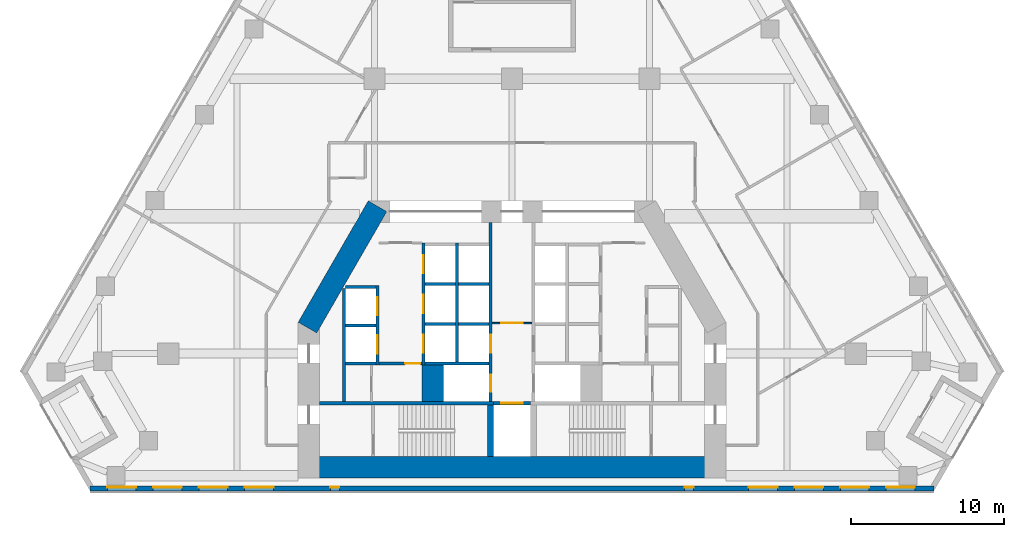
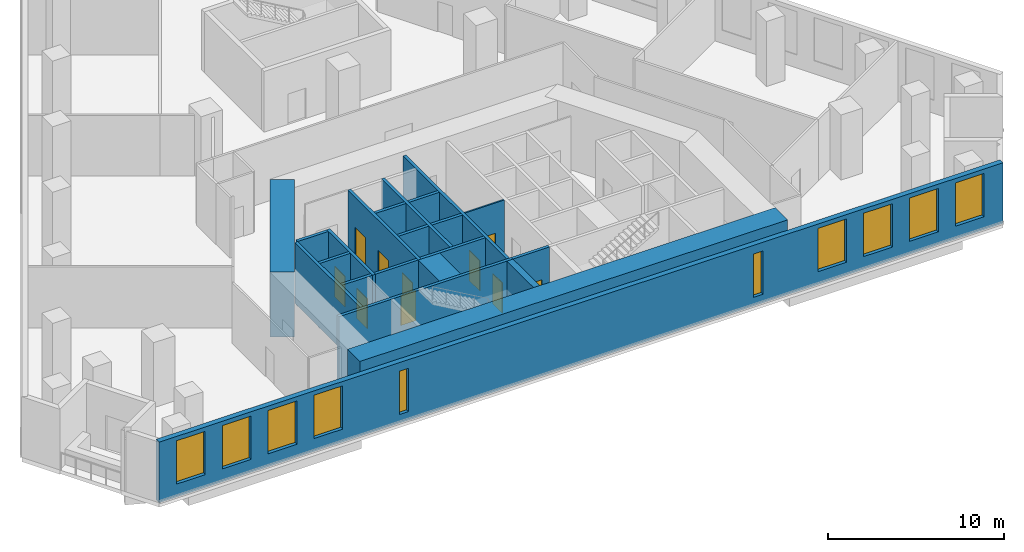
# One storey, part 4 of 10: 22 walls, 10 doors, 10 windows, 20 openings.
"""IFC4 building model written with IfcOpenShell, lengths in metres."""

from ifc_helpers import new_model, si_unit, direction, frame, frame_2d, origin, place, context, subcontext, project, spatial, rectangle, extrude, material, layer, layer_set, type_object, element, fill, save


model = new_model("IFC4")

# Units and contexts
model_context = context("Model", 3, precision=1e-05, world=origin(), true_north=direction((0.0, 1.0)))
body_context = subcontext(model_context, "Body", "Model", "MODEL_VIEW")
ifc_project = project(units=[si_unit("LENGTHUNIT", "METRE"), si_unit("AREAUNIT", "SQUARE_METRE"), si_unit("VOLUMEUNIT", "CUBIC_METRE"), si_unit("PLANEANGLEUNIT", "RADIAN"), si_unit("MASSUNIT", "GRAM", prefix="KILO")], contexts=[model_context])

# Site, building, storey
site_placement = place(None, origin())
site = spatial("IfcSite", under=ifc_project, at=site_placement, CompositionType="ELEMENT")
building_placement = place(site_placement, origin())
building = spatial("IfcBuilding", under=site, at=building_placement, Name="Fogline Exchange Tower", CompositionType="ELEMENT")
storey_placement = place(building_placement, frame((0.0, 0.0, 43.0)))
storey = spatial("IfcBuildingStorey", under=building, at=storey_placement, Name="L08", CompositionType="ELEMENT", Elevation=43.0)

# Wall, opening, door
ifc_material_1 = material(Name="Blockwork partition", Category="masonry")
ifc_layer_1 = layer(ifc_material_1, 0.10009765625)
ifc_layer_set_1 = layer_set([ifc_layer_1], Name="CW10")
wall_type_1 = type_object("IfcWallType", Name="CW10", PredefinedType="PARTITIONING", material=ifc_layer_set_1)
wall_1_placement = place(storey_placement, frame((-1.300048828125, 11.0, 0.0), z_axis=(0.0, 0.0, 1.0), x_axis=(1.0, 0.0, 0.0)))
wall_1 = element("IfcWall", 1, at=wall_1_placement, inside=storey, type_object=wall_type_1, Name="Lift lobby partition", PredefinedType="PARTITIONING", context=body_context, shape_type="SweptSolid", body=[
    extrude(rectangle(XDim=2.60009765625, YDim=0.10009765625, at=frame_2d((1.300048828125, 0.0))), origin(), (0.0, 0.0, 1.0), 4.199951171875),
])
opening_1_placement = place(wall_1_placement, frame((0.60009765625, 0.0, 0.0)))
opening_1 = element("IfcOpeningElement", 2, at=opening_1_placement, cuts=wall_1, Name="Opening T02-C019", PredefinedType="OPENING", context=body_context, shape_type="SweptSolid", body=[
    extrude(rectangle(XDim=1.39990234375, YDim=2.10009765625, at=frame_2d((0.699951171875, 1.050048828125))), frame((0.0, 0.06005859375, 0.0), z_axis=(0.0, -1.0, 0.0), x_axis=(1.0, 0.0, 0.0)), (0.0, 0.0, 1.0), 0.1201171875),
])
ifc_material_2 = material(Name="Steel and timber fire door", Category="steel")
door_type_1 = type_object("IfcDoorType", Name="D-LB1", OperationType="DOUBLE_DOOR_SINGLE_SWING", PredefinedType="DOOR", material=ifc_material_2)
door_1_placement = place(opening_1_placement, frame((1.39990234375, 0.0, 0.0), z_axis=(0.0, 0.0, 1.0), x_axis=(-1.0, 0.0, 0.0)))
door_1 = element("IfcDoor", 3, at=door_1_placement, inside=storey, type_object=door_type_1, Name="Door to firefighting lift lobby", OperationType="DOUBLE_DOOR_SINGLE_SWING", OverallHeight=2.10009765625, OverallWidth=1.39990234375, PredefinedType="DOOR", context=body_context, shape_type="SweptSolid", body=[
    extrude(rectangle(XDim=1.39990234375, YDim=2.10009765625, at=frame_2d((0.699951171875, 1.050048828125))), frame((0.0, 0.02490234375, 0.0), z_axis=(0.0, -1.0, 0.0), x_axis=(1.0, 0.0, 0.0)), (0.0, 0.0, 1.0), 0.050048828125),
])
fill(opening_1, door_1)

# Walls
ifc_material_3 = material(Name="Concrete C60", Category="concrete")
ifc_layer_2 = layer(ifc_material_3, 1.39990234375)
ifc_layer_set_2 = layer_set([ifc_layer_2], Name="CW140")
wall_type_2 = type_object("IfcWallType", Name="CW140", PredefinedType="SOLIDWALL", material=ifc_layer_set_2)
wall_2_placement = place(storey_placement, frame((-5.199951171875, 5.85009765625, -0.300048828125), z_axis=(0.0, 0.0, 1.0), x_axis=(0.0, 1.0, 0.0)))
element("IfcWall", 4, at=wall_2_placement, inside=storey, type_object=wall_type_2, Name="Lift shaft block wall", PredefinedType="SOLIDWALL", context=body_context, shape_type="SweptSolid", body=[
    extrude(rectangle(XDim=2.39990234375, YDim=1.39990234375, at=frame_2d((1.199951171875, 0.0))), origin(), (0.0, 0.0, 1.0), 4.5),
])
ifc_material_4 = material(Name="Concrete C40", Category="concrete")
ifc_layer_3 = layer(ifc_material_4, 0.199951171875)
ifc_layer_set_3 = layer_set([ifc_layer_3], Name="CW20")
wall_type_3 = type_object("IfcWallType", Name="CW20", PredefinedType="SOLIDWALL", material=ifc_layer_set_3)
wall_3_placement = place(storey_placement, frame((-11.0, 5.85009765625, 0.0), z_axis=(0.0, 0.0, 1.0), x_axis=(0.0, 1.0, 0.0)))
element("IfcWall", 5, at=wall_3_placement, inside=storey, type_object=wall_type_3, Name="Service room wall", PredefinedType="SOLIDWALL", context=body_context, shape_type="SweptSolid", body=[
    extrude(rectangle(XDim=7.39990234375, YDim=0.199951171875, at=frame_2d((3.699951171875, 0.0))), origin(), (0.0, 0.0, 1.0), 4.199951171875),
])

# Wall, opening, door
wall_4_placement = place(storey_placement, frame((-8.699951171875, 8.35009765625, 0.0), z_axis=(0.0, 0.0, 1.0), x_axis=(1.0, 0.0, 0.0)))
wall_4 = element("IfcWall", 6, at=wall_4_placement, inside=storey, type_object=wall_type_3, Name="WC wall", PredefinedType="SOLIDWALL", context=body_context, shape_type="SweptSolid", body=[
    extrude(rectangle(XDim=2.800048828125, YDim=0.199951171875, at=frame_2d((1.39990234375, 0.0))), origin(), (0.0, 0.0, 1.0), 4.199951171875),
])
opening_2_placement = place(wall_4_placement, frame((1.699951171875, 0.0, 0.0)))
opening_2 = element("IfcOpeningElement", 7, at=opening_2_placement, cuts=wall_4, Name="Opening T02-C008", PredefinedType="OPENING", context=body_context, shape_type="SweptSolid", body=[
    extrude(rectangle(XDim=1.0, YDim=2.10009765625, at=frame_2d((0.5, 1.050048828125))), frame((0.0, 0.10986328125, 0.0), z_axis=(0.0, -1.0, 0.0), x_axis=(1.0, 0.0, 0.0)), (0.0, 0.0, 1.0), 0.219970703125),
])
door_type_2 = type_object("IfcDoorType", Name="D-WC1", OperationType="SINGLE_SWING_LEFT", PredefinedType="DOOR", material=ifc_material_2)
door_2_placement = place(opening_2_placement, frame((1.0, 0.0, 0.0), z_axis=(0.0, 0.0, 1.0), x_axis=(-1.0, 0.0, 0.0)))
door_2 = element("IfcDoor", 8, at=door_2_placement, inside=storey, type_object=door_type_2, Name="Door to Men's WC", OperationType="SINGLE_SWING_LEFT", OverallHeight=2.10009765625, OverallWidth=1.0, PredefinedType="DOOR", context=body_context, shape_type="SweptSolid", body=[
    extrude(rectangle(XDim=1.0, YDim=2.10009765625, at=frame_2d((0.5, 1.050048828125))), frame((0.0, 0.02490234375, 0.0), z_axis=(0.0, -1.0, 0.0), x_axis=(1.0, 0.0, 0.0)), (0.0, 0.0, 1.0), 0.050048828125),
])
fill(opening_2, door_2)

# Wall
ifc_layer_4 = layer(ifc_material_4, 0.199951171875)
ifc_layer_set_4 = layer_set([ifc_layer_4], Name="CW20R")
wall_type_4 = type_object("IfcWallType", Name="CW20R", PredefinedType="SOLIDWALL", material=ifc_layer_set_4)
wall_5_placement = place(storey_placement, frame((-12.60009765625, 5.75, -0.300048828125), z_axis=(0.0, 0.0, 1.0), x_axis=(1.0, 0.0, 0.0)))
element("IfcWall", 9, at=wall_5_placement, inside=storey, type_object=wall_type_4, Name="Stair enclosure wall", PredefinedType="SOLIDWALL", context=body_context, shape_type="SweptSolid", body=[
    extrude(rectangle(XDim=11.400146484375, YDim=0.199951171875, at=frame_2d((5.7001953125, 0.0))), origin(), (0.0, 0.0, 1.0), 4.5),
])

# Wall, opening, door
wall_6_placement = place(storey_placement, frame((-1.199951171875, 5.75, -0.300048828125), z_axis=(0.0, 0.0, 1.0), x_axis=(1.0, 0.0, 0.0)))
wall_6 = element("IfcWall", 10, at=wall_6_placement, inside=storey, type_object=wall_type_4, Name="Stair enclosure wall", PredefinedType="SOLIDWALL", context=body_context, shape_type="SweptSolid", body=[
    extrude(rectangle(XDim=2.39990234375, YDim=0.199951171875, at=frame_2d((1.199951171875, 0.0))), origin(), (0.0, 0.0, 1.0), 4.5),
])
opening_3_placement = place(wall_6_placement, frame((0.5, 0.0, 0.300048828125)))
opening_3 = element("IfcOpeningElement", 11, at=opening_3_placement, cuts=wall_6, Name="Opening T02-LD09", PredefinedType="OPENING", context=body_context, shape_type="SweptSolid", body=[
    extrude(rectangle(XDim=1.39990234375, YDim=2.10009765625, at=frame_2d((0.699951171875, 1.050048828125))), frame((0.0, 0.10986328125, 0.0), z_axis=(0.0, -1.0, 0.0), x_axis=(1.0, 0.0, 0.0)), (0.0, 0.0, 1.0), 0.219970703125),
])
door_type_3 = type_object("IfcDoorType", Name="LD3", OperationType="SLIDING_TO_LEFT", PredefinedType="DOOR", material=ifc_material_2)
door_3_placement = place(opening_3_placement, origin())
door_3 = element("IfcDoor", 12, at=door_3_placement, inside=storey, type_object=door_type_3, Name="Landing door GL1", OperationType="SLIDING_TO_LEFT", OverallHeight=2.10009765625, OverallWidth=1.39990234375, PredefinedType="DOOR", context=body_context, shape_type="SweptSolid", body=[
    extrude(rectangle(XDim=1.39990234375, YDim=2.10009765625, at=frame_2d((0.699951171875, 1.050048828125))), frame((0.0, 0.02490234375, 0.0), z_axis=(0.0, -1.0, 0.0), x_axis=(1.0, 0.0, 0.0)), (0.0, 0.0, 1.0), 0.050048828125),
])
fill(opening_3, door_3)

# Wall, openings, doors
ifc_layer_5 = layer(ifc_material_4, 0.199951171875)
ifc_layer_set_5 = layer_set([ifc_layer_5], Name="CW20S")
wall_type_5 = type_object("IfcWallType", Name="CW20S", PredefinedType="SOLIDWALL", material=ifc_layer_set_5)
wall_7_placement = place(storey_placement, frame((-8.800048828125, 8.25, -0.300048828125), z_axis=(0.0, 0.0, 1.0), x_axis=(0.0, 1.0, 0.0)))
wall_7 = element("IfcWall", 13, at=wall_7_placement, inside=storey, type_object=wall_type_5, Name="Lift shaft wall", PredefinedType="SOLIDWALL", context=body_context, shape_type="SweptSolid", body=[
    extrude(rectangle(XDim=5.199951171875, YDim=0.199951171875, at=frame_2d((2.60009765625, 0.0))), origin(), (0.0, 0.0, 1.0), 4.5),
])
opening_4_placement = place(wall_7_placement, frame((0.75, 0.0, 0.300048828125)))
opening_4 = element("IfcOpeningElement", 14, at=opening_4_placement, cuts=wall_7, Name="Opening T02-LD01", PredefinedType="OPENING", context=body_context, shape_type="SweptSolid", body=[
    extrude(rectangle(XDim=1.199951171875, YDim=2.10009765625, at=frame_2d((0.60009765625, 1.050048828125))), frame((0.0, 0.10986328125, 0.0), z_axis=(0.0, -1.0, 0.0), x_axis=(1.0, 0.0, 0.0)), (0.0, 0.0, 1.0), 0.219970703125),
])
opening_5_placement = place(wall_7_placement, frame((3.25, 0.0, 0.300048828125)))
opening_5 = element("IfcOpeningElement", 15, at=opening_5_placement, cuts=wall_7, Name="Opening T02-LD02", PredefinedType="OPENING", context=body_context, shape_type="SweptSolid", body=[
    extrude(rectangle(XDim=1.199951171875, YDim=2.10009765625, at=frame_2d((0.60009765625, 1.050048828125))), frame((0.0, 0.10986328125, 0.0), z_axis=(0.0, -1.0, 0.0), x_axis=(1.0, 0.0, 0.0)), (0.0, 0.0, 1.0), 0.219970703125),
])
door_type_4 = type_object("IfcDoorType", Name="LD1", OperationType="SLIDING_TO_LEFT", PredefinedType="DOOR", material=ifc_material_2)
door_4_placement = place(opening_4_placement, origin())
door_4 = element("IfcDoor", 16, at=door_4_placement, inside=storey, type_object=door_type_4, Name="Landing door LR1", OperationType="SLIDING_TO_LEFT", OverallHeight=2.10009765625, OverallWidth=1.199951171875, PredefinedType="DOOR", context=body_context, shape_type="SweptSolid", body=[
    extrude(rectangle(XDim=1.199951171875, YDim=2.10009765625, at=frame_2d((0.60009765625, 1.050048828125))), frame((0.0, 0.02490234375, 0.0), z_axis=(0.0, -1.0, 0.0), x_axis=(1.0, 0.0, 0.0)), (0.0, 0.0, 1.0), 0.050048828125),
])
fill(opening_4, door_4)
door_5_placement = place(opening_5_placement, origin())
door_5 = element("IfcDoor", 17, at=door_5_placement, inside=storey, type_object=door_type_4, Name="Landing door LR2", OperationType="SLIDING_TO_LEFT", OverallHeight=2.10009765625, OverallWidth=1.199951171875, PredefinedType="DOOR", context=body_context, shape_type="SweptSolid", body=[
    extrude(rectangle(XDim=1.199951171875, YDim=2.10009765625, at=frame_2d((0.60009765625, 1.050048828125))), frame((0.0, 0.02490234375, 0.0), z_axis=(0.0, -1.0, 0.0), x_axis=(1.0, 0.0, 0.0)), (0.0, 0.0, 1.0), 0.050048828125),
])
fill(opening_5, door_5)

wall_8_placement = place(storey_placement, frame((-5.800048828125, 8.25, -0.300048828125), z_axis=(0.0, 0.0, 1.0), x_axis=(0.0, 1.0, 0.0)))
wall_8 = element("IfcWall", 18, at=wall_8_placement, inside=storey, type_object=wall_type_5, Name="Lift shaft wall", PredefinedType="SOLIDWALL", context=body_context, shape_type="SweptSolid", body=[
    extrude(rectangle(XDim=8.0, YDim=0.199951171875, at=frame_2d((4.0, 0.0))), origin(), (0.0, 0.0, 1.0), 4.5),
])
opening_6_placement = place(wall_8_placement, frame((0.800048828125, 0.0, 0.300048828125)))
opening_6 = element("IfcOpeningElement", 19, at=opening_6_placement, cuts=wall_8, Name="Opening T02-LD03", PredefinedType="OPENING", context=body_context, shape_type="SweptSolid", body=[
    extrude(rectangle(XDim=1.199951171875, YDim=2.10009765625, at=frame_2d((0.60009765625, 1.050048828125))), frame((0.0, 0.10986328125, 0.0), z_axis=(0.0, -1.0, 0.0), x_axis=(1.0, 0.0, 0.0)), (0.0, 0.0, 1.0), 0.219970703125),
])
opening_7_placement = place(wall_8_placement, frame((3.39990234375, 0.0, 0.300048828125)))
opening_7 = element("IfcOpeningElement", 20, at=opening_7_placement, cuts=wall_8, Name="Opening T02-LD04", PredefinedType="OPENING", context=body_context, shape_type="SweptSolid", body=[
    extrude(rectangle(XDim=1.199951171875, YDim=2.10009765625, at=frame_2d((0.60009765625, 1.050048828125))), frame((0.0, 0.10986328125, 0.0), z_axis=(0.0, -1.0, 0.0), x_axis=(1.0, 0.0, 0.0)), (0.0, 0.0, 1.0), 0.219970703125),
])
opening_8_placement = place(wall_8_placement, frame((6.0, 0.0, 0.300048828125)))
opening_8 = element("IfcOpeningElement", 21, at=opening_8_placement, cuts=wall_8, Name="Opening T02-LD05", PredefinedType="OPENING", context=body_context, shape_type="SweptSolid", body=[
    extrude(rectangle(XDim=1.199951171875, YDim=2.10009765625, at=frame_2d((0.60009765625, 1.050048828125))), frame((0.0, 0.10986328125, 0.0), z_axis=(0.0, -1.0, 0.0), x_axis=(1.0, 0.0, 0.0)), (0.0, 0.0, 1.0), 0.219970703125),
])
door_6_placement = place(opening_6_placement, origin())
door_6 = element("IfcDoor", 22, at=door_6_placement, inside=storey, type_object=door_type_4, Name="Landing door LR3", OperationType="SLIDING_TO_LEFT", OverallHeight=2.10009765625, OverallWidth=1.199951171875, PredefinedType="DOOR", context=body_context, shape_type="SweptSolid", body=[
    extrude(rectangle(XDim=1.199951171875, YDim=2.10009765625, at=frame_2d((0.60009765625, 1.050048828125))), frame((0.0, 0.02490234375, 0.0), z_axis=(0.0, -1.0, 0.0), x_axis=(1.0, 0.0, 0.0)), (0.0, 0.0, 1.0), 0.050048828125),
])
fill(opening_6, door_6)
door_7_placement = place(opening_7_placement, origin())
door_7 = element("IfcDoor", 23, at=door_7_placement, inside=storey, type_object=door_type_4, Name="Landing door LR4", OperationType="SLIDING_TO_LEFT", OverallHeight=2.10009765625, OverallWidth=1.199951171875, PredefinedType="DOOR", context=body_context, shape_type="SweptSolid", body=[
    extrude(rectangle(XDim=1.199951171875, YDim=2.10009765625, at=frame_2d((0.60009765625, 1.050048828125))), frame((0.0, 0.02490234375, 0.0), z_axis=(0.0, -1.0, 0.0), x_axis=(1.0, 0.0, 0.0)), (0.0, 0.0, 1.0), 0.050048828125),
])
fill(opening_7, door_7)
door_8_placement = place(opening_8_placement, origin())
door_8 = element("IfcDoor", 24, at=door_8_placement, inside=storey, type_object=door_type_4, Name="Landing door LR5", OperationType="SLIDING_TO_LEFT", OverallHeight=2.10009765625, OverallWidth=1.199951171875, PredefinedType="DOOR", context=body_context, shape_type="SweptSolid", body=[
    extrude(rectangle(XDim=1.199951171875, YDim=2.10009765625, at=frame_2d((0.60009765625, 1.050048828125))), frame((0.0, 0.02490234375, 0.0), z_axis=(0.0, -1.0, 0.0), x_axis=(1.0, 0.0, 0.0)), (0.0, 0.0, 1.0), 0.050048828125),
])
fill(opening_8, door_8)

# Wall
wall_9_placement = place(storey_placement, frame((-3.60009765625, 8.449951171875, -0.300048828125), z_axis=(0.0, 0.0, 1.0), x_axis=(0.0, 1.0, 0.0)))
element("IfcWall", 25, at=wall_9_placement, inside=storey, type_object=wall_type_5, Name="Lift shaft wall", PredefinedType="SOLIDWALL", context=body_context, shape_type="SweptSolid", body=[
    extrude(rectangle(XDim=7.800048828125, YDim=0.199951171875, at=frame_2d((3.89990234375, 0.0))), origin(), (0.0, 0.0, 1.0), 4.5),
])

# Wall, openings, doors
wall_10_placement = place(storey_placement, frame((-1.39990234375, 5.85009765625, -0.300048828125), z_axis=(0.0, 0.0, 1.0), x_axis=(0.0, 1.0, 0.0)))
wall_10 = element("IfcWall", 26, at=wall_10_placement, inside=storey, type_object=wall_type_5, Name="Lift lobby wall", PredefinedType="SOLIDWALL", context=body_context, shape_type="SweptSolid", body=[
    extrude(rectangle(XDim=11.75, YDim=0.199951171875, at=frame_2d((5.875, 0.0))), origin(), (0.0, 0.0, 1.0), 4.5),
])
opening_9_placement = place(wall_10_placement, frame((3.199951171875, 0.0, 0.300048828125)))
opening_9 = element("IfcOpeningElement", 27, at=opening_9_placement, cuts=wall_10, Name="Opening T02-LD06", PredefinedType="OPENING", context=body_context, shape_type="SweptSolid", body=[
    extrude(rectangle(XDim=1.199951171875, YDim=2.10009765625, at=frame_2d((0.60009765625, 1.050048828125))), frame((0.0, 0.10986328125, 0.0), z_axis=(0.0, -1.0, 0.0), x_axis=(1.0, 0.0, 0.0)), (0.0, 0.0, 1.0), 0.219970703125),
])
opening_10_placement = place(wall_10_placement, frame((0.64990234375, 0.0, 0.300048828125)))
opening_10 = element("IfcOpeningElement", 28, at=opening_10_placement, cuts=wall_10, Name="Opening T02-LD07", PredefinedType="OPENING", context=body_context, shape_type="SweptSolid", body=[
    extrude(rectangle(XDim=1.10009765625, YDim=2.10009765625, at=frame_2d((0.550048828125, 1.050048828125))), frame((0.0, 0.10986328125, 0.0), z_axis=(0.0, -1.0, 0.0), x_axis=(1.0, 0.0, 0.0)), (0.0, 0.0, 1.0), 0.219970703125),
])
door_9_placement = place(opening_9_placement, origin())
door_9 = element("IfcDoor", 29, at=door_9_placement, inside=storey, type_object=door_type_4, Name="Landing door LR6", OperationType="SLIDING_TO_LEFT", OverallHeight=2.10009765625, OverallWidth=1.199951171875, PredefinedType="DOOR", context=body_context, shape_type="SweptSolid", body=[
    extrude(rectangle(XDim=1.199951171875, YDim=2.10009765625, at=frame_2d((0.60009765625, 1.050048828125))), frame((0.0, 0.02490234375, 0.0), z_axis=(0.0, -1.0, 0.0), x_axis=(1.0, 0.0, 0.0)), (0.0, 0.0, 1.0), 0.050048828125),
])
fill(opening_9, door_9)
door_type_5 = type_object("IfcDoorType", Name="LD2", OperationType="SLIDING_TO_RIGHT", PredefinedType="DOOR", material=ifc_material_2)
door_10_placement = place(opening_10_placement, origin())
door_10 = element("IfcDoor", 30, at=door_10_placement, inside=storey, type_object=door_type_5, Name="Landing door FF1", OperationType="SLIDING_TO_RIGHT", OverallHeight=2.10009765625, OverallWidth=1.10009765625, PredefinedType="DOOR", context=body_context, shape_type="SweptSolid", body=[
    extrude(rectangle(XDim=1.10009765625, YDim=2.10009765625, at=frame_2d((0.550048828125, 1.050048828125))), frame((0.0, 0.02490234375, 0.0), z_axis=(0.0, -1.0, 0.0), x_axis=(1.0, 0.0, 0.0)), (0.0, 0.0, 1.0), 0.050048828125),
])
fill(opening_10, door_10)

# Walls
wall_11_placement = place(storey_placement, frame((-10.89990234375, 8.35009765625, -0.300048828125), z_axis=(0.0, 0.0, 1.0), x_axis=(1.0, 0.0, 0.0)))
element("IfcWall", 31, at=wall_11_placement, inside=storey, type_object=wall_type_5, Name="Lift shaft wall", PredefinedType="SOLIDWALL", context=body_context, shape_type="SweptSolid", body=[
    extrude(rectangle(XDim=2.0, YDim=0.199951171875, at=frame_2d((1.0, 0.0))), origin(), (0.0, 0.0, 1.0), 4.5),
])
wall_12_placement = place(storey_placement, frame((-5.699951171875, 8.35009765625, -0.300048828125), z_axis=(0.0, 0.0, 1.0), x_axis=(1.0, 0.0, 0.0)))
element("IfcWall", 32, at=wall_12_placement, inside=storey, type_object=wall_type_5, Name="Lift shaft wall", PredefinedType="SOLIDWALL", context=body_context, shape_type="SweptSolid", body=[
    extrude(rectangle(XDim=4.199951171875, YDim=0.199951171875, at=frame_2d((2.10009765625, 0.0))), origin(), (0.0, 0.0, 1.0), 4.5),
])
for number, where, z_axis, x_axis, name in (
    (33, (-10.89990234375, 10.85009765625, -0.300048828125), (0.0, 0.0, 1.0), (1.0, 0.0, 0.0), "Lift shaft wall"),
    (34, (-10.89990234375, 13.35009765625, -0.300048828125), (0.0, 0.0, 1.0), (1.0, 0.0, 0.0), "Lift shaft wall"),
    (35, (-5.699951171875, 10.949951171875, -0.300048828125), (0.0, 0.0, 1.0), (1.0, 0.0, 0.0), "Lift shaft wall"),
    (36, (-5.699951171875, 13.550048828125, -0.300048828125), (0.0, 0.0, 1.0), (1.0, 0.0, 0.0), "Lift shaft wall"),
    (37, (-3.5, 10.949951171875, -0.300048828125), (0.0, 0.0, 1.0), (1.0, 0.0, 0.0), "Lift shaft wall"),
    (38, (-3.5, 13.550048828125, -0.300048828125), (0.0, 0.0, 1.0), (1.0, 0.0, 0.0), "Lift shaft wall"),
):
    element("IfcWall", number, at=place(storey_placement, frame(where, z_axis=z_axis, x_axis=x_axis)), inside=storey, type_object=wall_type_5, Name=name, PredefinedType="SOLIDWALL", context=body_context, shape_type="SweptSolid", body=[
        extrude(rectangle(XDim=2.0, YDim=0.199951171875, at=frame_2d((1.0, 0.0))), origin(), (0.0, 0.0, 1.0), 4.5),
    ])
ifc_layer_6 = layer(ifc_material_4, 0.39990234375)
ifc_layer_set_6 = layer_set([ifc_layer_6], Name="CW40R")
wall_type_6 = type_object("IfcWallType", Name="CW40R", PredefinedType="SOLIDWALL", material=ifc_layer_set_6)
wall_13_placement = place(storey_placement, frame((-1.39990234375, 2.25, -0.300048828125), z_axis=(0.0, 0.0, 1.0), x_axis=(0.0, 1.0, 0.0)))
element("IfcWall", 39, at=wall_13_placement, inside=storey, type_object=wall_type_6, Name="Stair and lift shaft wall", PredefinedType="SOLIDWALL", context=body_context, shape_type="SweptSolid", body=[
    extrude(rectangle(XDim=3.39990234375, YDim=0.39990234375, at=frame_2d((1.699951171875, 0.0))), origin(), (0.0, 0.0, 1.0), 4.5),
])

# Wall, openings, windows
ifc_material_5 = material(Name="Brick masonry", Category="masonry")
ifc_layer_7 = layer(ifc_material_5, 0.340087890625)
ifc_layer_set_7 = layer_set([ifc_layer_7], Name="FW1")
wall_type_7 = type_object("IfcWallType", Name="FW1", PredefinedType="SOLIDWALL", material=ifc_layer_set_7)
wall_14_placement = place(storey_placement, frame((-27.627685546875, 0.169921875, 0.0), z_axis=(0.0, 0.0, 1.0), x_axis=(1.0, 0.0, 0.0)))
wall_14 = element("IfcWall", 40, at=wall_14_placement, inside=storey, type_object=wall_type_7, Name="Brick wall L08 S", PredefinedType="SOLIDWALL", context=body_context, shape_type="SweptSolid", body=[
    extrude(rectangle(XDim=55.25537109375, YDim=0.340087890625, at=frame_2d((27.627685546875, 0.0))), origin(), (0.0, 0.0, 1.0), 4.199951171875),
])
opening_11_placement = place(wall_14_placement, frame((1.127685546875, 0.0, 0.89990234375)))
opening_11 = element("IfcOpeningElement", 41, at=opening_11_placement, cuts=wall_14, Name="Opening W2", PredefinedType="OPENING", context=body_context, shape_type="SweptSolid", body=[
    extrude(rectangle(XDim=1.885009765625, YDim=3.0, at=frame_2d((0.9423828125, 1.5))), frame((0.0, 0.18017578125, 0.0), z_axis=(0.0, -1.0, 0.0), x_axis=(1.0, 0.0, 0.0)), (0.0, 0.0, 1.0), 0.360107421875),
])
opening_12_placement = place(wall_14_placement, frame((4.127685546875, 0.0, 0.89990234375)))
opening_12 = element("IfcOpeningElement", 42, at=opening_12_placement, cuts=wall_14, Name="Opening W2", PredefinedType="OPENING", context=body_context, shape_type="SweptSolid", body=[
    extrude(rectangle(XDim=1.885009765625, YDim=3.0, at=frame_2d((0.9423828125, 1.5))), frame((0.0, 0.18017578125, 0.0), z_axis=(0.0, -1.0, 0.0), x_axis=(1.0, 0.0, 0.0)), (0.0, 0.0, 1.0), 0.360107421875),
])
opening_13_placement = place(wall_14_placement, frame((7.127685546875, 0.0, 0.89990234375)))
opening_13 = element("IfcOpeningElement", 43, at=opening_13_placement, cuts=wall_14, Name="Opening W2", PredefinedType="OPENING", context=body_context, shape_type="SweptSolid", body=[
    extrude(rectangle(XDim=1.885009765625, YDim=3.0, at=frame_2d((0.9423828125, 1.5))), frame((0.0, 0.18017578125, 0.0), z_axis=(0.0, -1.0, 0.0), x_axis=(1.0, 0.0, 0.0)), (0.0, 0.0, 1.0), 0.360107421875),
])
opening_14_placement = place(wall_14_placement, frame((10.127685546875, 0.0, 0.89990234375)))
opening_14 = element("IfcOpeningElement", 44, at=opening_14_placement, cuts=wall_14, Name="Opening W2", PredefinedType="OPENING", context=body_context, shape_type="SweptSolid", body=[
    extrude(rectangle(XDim=1.885009765625, YDim=3.0, at=frame_2d((0.9423828125, 1.5))), frame((0.0, 0.18017578125, 0.0), z_axis=(0.0, -1.0, 0.0), x_axis=(1.0, 0.0, 0.0)), (0.0, 0.0, 1.0), 0.360107421875),
])
opening_15_placement = place(wall_14_placement, frame((43.127685546875, 0.0, 0.89990234375)))
opening_15 = element("IfcOpeningElement", 45, at=opening_15_placement, cuts=wall_14, Name="Opening W2", PredefinedType="OPENING", context=body_context, shape_type="SweptSolid", body=[
    extrude(rectangle(XDim=1.885009765625, YDim=3.0, at=frame_2d((0.9423828125, 1.5))), frame((0.0, 0.18017578125, 0.0), z_axis=(0.0, -1.0, 0.0), x_axis=(1.0, 0.0, 0.0)), (0.0, 0.0, 1.0), 0.360107421875),
])
opening_16_placement = place(wall_14_placement, frame((46.127685546875, 0.0, 0.89990234375)))
opening_16 = element("IfcOpeningElement", 46, at=opening_16_placement, cuts=wall_14, Name="Opening W2", PredefinedType="OPENING", context=body_context, shape_type="SweptSolid", body=[
    extrude(rectangle(XDim=1.885009765625, YDim=3.0, at=frame_2d((0.9423828125, 1.5))), frame((0.0, 0.18017578125, 0.0), z_axis=(0.0, -1.0, 0.0), x_axis=(1.0, 0.0, 0.0)), (0.0, 0.0, 1.0), 0.360107421875),
])
opening_17_placement = place(wall_14_placement, frame((49.127685546875, 0.0, 0.89990234375)))
opening_17 = element("IfcOpeningElement", 47, at=opening_17_placement, cuts=wall_14, Name="Opening W2", PredefinedType="OPENING", context=body_context, shape_type="SweptSolid", body=[
    extrude(rectangle(XDim=1.885009765625, YDim=3.0, at=frame_2d((0.9423828125, 1.5))), frame((0.0, 0.18017578125, 0.0), z_axis=(0.0, -1.0, 0.0), x_axis=(1.0, 0.0, 0.0)), (0.0, 0.0, 1.0), 0.360107421875),
])
opening_18_placement = place(wall_14_placement, frame((52.127685546875, 0.0, 0.89990234375)))
opening_18 = element("IfcOpeningElement", 48, at=opening_18_placement, cuts=wall_14, Name="Opening W2", PredefinedType="OPENING", context=body_context, shape_type="SweptSolid", body=[
    extrude(rectangle(XDim=1.885009765625, YDim=3.0, at=frame_2d((0.9423828125, 1.5))), frame((0.0, 0.18017578125, 0.0), z_axis=(0.0, -1.0, 0.0), x_axis=(1.0, 0.0, 0.0)), (0.0, 0.0, 1.0), 0.360107421875),
])
opening_19_placement = place(wall_14_placement, frame((15.7275390625, 0.0, 0.60009765625)))
opening_19 = element("IfcOpeningElement", 49, at=opening_19_placement, cuts=wall_14, Name="Opening W5", PredefinedType="OPENING", context=body_context, shape_type="SweptSolid", body=[
    extrude(rectangle(XDim=0.60009765625, YDim=3.0, at=frame_2d((0.300048828125, 1.5))), frame((0.0, 0.18017578125, 0.0), z_axis=(0.0, -1.0, 0.0), x_axis=(1.0, 0.0, 0.0)), (0.0, 0.0, 1.0), 0.360107421875),
])
opening_20_placement = place(wall_14_placement, frame((38.927490234375, 0.0, 0.60009765625)))
opening_20 = element("IfcOpeningElement", 50, at=opening_20_placement, cuts=wall_14, Name="Opening W5", PredefinedType="OPENING", context=body_context, shape_type="SweptSolid", body=[
    extrude(rectangle(XDim=0.60009765625, YDim=3.0, at=frame_2d((0.300048828125, 1.5))), frame((0.0, 0.18017578125, 0.0), z_axis=(0.0, -1.0, 0.0), x_axis=(1.0, 0.0, 0.0)), (0.0, 0.0, 1.0), 0.360107421875),
])
ifc_material_6 = material(Name="Aluminium and glass", Category="aluminium")
window_type_1 = type_object("IfcWindowType", Name="W2", PartitioningType="SINGLE_PANEL", PredefinedType="WINDOW", material=ifc_material_6)
window_1_placement = place(opening_11_placement, origin())
window_1 = element("IfcWindow", 51, at=window_1_placement, inside=storey, type_object=window_type_1, Name="W2 W2", OverallHeight=3.0, OverallWidth=1.885009765625, PartitioningType="SINGLE_PANEL", PredefinedType="WINDOW", context=body_context, shape_type="SweptSolid", body=[
    extrude(rectangle(XDim=1.885009765625, YDim=3.0, at=frame_2d((0.9423828125, 1.5))), frame((0.0, 0.110107421875, 0.0), z_axis=(0.0, -1.0, 0.0), x_axis=(1.0, 0.0, 0.0)), (0.0, 0.0, 1.0), 0.06005859375),
])
fill(opening_11, window_1)
window_2_placement = place(opening_12_placement, origin())
window_2 = element("IfcWindow", 52, at=window_2_placement, inside=storey, type_object=window_type_1, Name="W2 W2", OverallHeight=3.0, OverallWidth=1.885009765625, PartitioningType="SINGLE_PANEL", PredefinedType="WINDOW", context=body_context, shape_type="SweptSolid", body=[
    extrude(rectangle(XDim=1.885009765625, YDim=3.0, at=frame_2d((0.9423828125, 1.5))), frame((0.0, 0.110107421875, 0.0), z_axis=(0.0, -1.0, 0.0), x_axis=(1.0, 0.0, 0.0)), (0.0, 0.0, 1.0), 0.06005859375),
])
fill(opening_12, window_2)
window_3_placement = place(opening_13_placement, origin())
window_3 = element("IfcWindow", 53, at=window_3_placement, inside=storey, type_object=window_type_1, Name="W2 W2", OverallHeight=3.0, OverallWidth=1.885009765625, PartitioningType="SINGLE_PANEL", PredefinedType="WINDOW", context=body_context, shape_type="SweptSolid", body=[
    extrude(rectangle(XDim=1.885009765625, YDim=3.0, at=frame_2d((0.9423828125, 1.5))), frame((0.0, 0.110107421875, 0.0), z_axis=(0.0, -1.0, 0.0), x_axis=(1.0, 0.0, 0.0)), (0.0, 0.0, 1.0), 0.06005859375),
])
fill(opening_13, window_3)
window_4_placement = place(opening_14_placement, origin())
window_4 = element("IfcWindow", 54, at=window_4_placement, inside=storey, type_object=window_type_1, Name="W2 W2", OverallHeight=3.0, OverallWidth=1.885009765625, PartitioningType="SINGLE_PANEL", PredefinedType="WINDOW", context=body_context, shape_type="SweptSolid", body=[
    extrude(rectangle(XDim=1.885009765625, YDim=3.0, at=frame_2d((0.9423828125, 1.5))), frame((0.0, 0.110107421875, 0.0), z_axis=(0.0, -1.0, 0.0), x_axis=(1.0, 0.0, 0.0)), (0.0, 0.0, 1.0), 0.06005859375),
])
fill(opening_14, window_4)
window_5_placement = place(opening_15_placement, origin())
window_5 = element("IfcWindow", 55, at=window_5_placement, inside=storey, type_object=window_type_1, Name="W2 W2", OverallHeight=3.0, OverallWidth=1.885009765625, PartitioningType="SINGLE_PANEL", PredefinedType="WINDOW", context=body_context, shape_type="SweptSolid", body=[
    extrude(rectangle(XDim=1.885009765625, YDim=3.0, at=frame_2d((0.9423828125, 1.5))), frame((0.0, 0.110107421875, 0.0), z_axis=(0.0, -1.0, 0.0), x_axis=(1.0, 0.0, 0.0)), (0.0, 0.0, 1.0), 0.06005859375),
])
fill(opening_15, window_5)
window_6_placement = place(opening_16_placement, origin())
window_6 = element("IfcWindow", 56, at=window_6_placement, inside=storey, type_object=window_type_1, Name="W2 W2", OverallHeight=3.0, OverallWidth=1.885009765625, PartitioningType="SINGLE_PANEL", PredefinedType="WINDOW", context=body_context, shape_type="SweptSolid", body=[
    extrude(rectangle(XDim=1.885009765625, YDim=3.0, at=frame_2d((0.9423828125, 1.5))), frame((0.0, 0.110107421875, 0.0), z_axis=(0.0, -1.0, 0.0), x_axis=(1.0, 0.0, 0.0)), (0.0, 0.0, 1.0), 0.06005859375),
])
fill(opening_16, window_6)
window_7_placement = place(opening_17_placement, origin())
window_7 = element("IfcWindow", 57, at=window_7_placement, inside=storey, type_object=window_type_1, Name="W2 W2", OverallHeight=3.0, OverallWidth=1.885009765625, PartitioningType="SINGLE_PANEL", PredefinedType="WINDOW", context=body_context, shape_type="SweptSolid", body=[
    extrude(rectangle(XDim=1.885009765625, YDim=3.0, at=frame_2d((0.9423828125, 1.5))), frame((0.0, 0.110107421875, 0.0), z_axis=(0.0, -1.0, 0.0), x_axis=(1.0, 0.0, 0.0)), (0.0, 0.0, 1.0), 0.06005859375),
])
fill(opening_17, window_7)
window_8_placement = place(opening_18_placement, origin())
window_8 = element("IfcWindow", 58, at=window_8_placement, inside=storey, type_object=window_type_1, Name="W2 W2", OverallHeight=3.0, OverallWidth=1.885009765625, PartitioningType="SINGLE_PANEL", PredefinedType="WINDOW", context=body_context, shape_type="SweptSolid", body=[
    extrude(rectangle(XDim=1.885009765625, YDim=3.0, at=frame_2d((0.9423828125, 1.5))), frame((0.0, 0.110107421875, 0.0), z_axis=(0.0, -1.0, 0.0), x_axis=(1.0, 0.0, 0.0)), (0.0, 0.0, 1.0), 0.06005859375),
])
fill(opening_18, window_8)
window_type_2 = type_object("IfcWindowType", Name="W5", PartitioningType="SINGLE_PANEL", PredefinedType="WINDOW", material=ifc_material_6)
window_9_placement = place(opening_19_placement, origin())
window_9 = element("IfcWindow", 59, at=window_9_placement, inside=storey, type_object=window_type_2, Name="W5 W5", OverallHeight=3.0, OverallWidth=0.60009765625, PartitioningType="SINGLE_PANEL", PredefinedType="WINDOW", context=body_context, shape_type="SweptSolid", body=[
    extrude(rectangle(XDim=0.60009765625, YDim=3.0, at=frame_2d((0.300048828125, 1.5))), frame((0.0, 0.110107421875, 0.0), z_axis=(0.0, -1.0, 0.0), x_axis=(1.0, 0.0, 0.0)), (0.0, 0.0, 1.0), 0.06005859375),
])
fill(opening_19, window_9)
window_10_placement = place(opening_20_placement, origin())
window_10 = element("IfcWindow", 60, at=window_10_placement, inside=storey, type_object=window_type_2, Name="W5 W5", OverallHeight=3.0, OverallWidth=0.60009765625, PartitioningType="SINGLE_PANEL", PredefinedType="WINDOW", context=body_context, shape_type="SweptSolid", body=[
    extrude(rectangle(XDim=0.60009765625, YDim=3.0, at=frame_2d((0.300048828125, 1.5))), frame((0.0, 0.110107421875, 0.0), z_axis=(0.0, -1.0, 0.0), x_axis=(1.0, 0.0, 0.0)), (0.0, 0.0, 1.0), 0.06005859375),
])
fill(opening_20, window_10)

# Walls
ifc_layer_8 = layer(ifc_material_3, 1.39990234375)
ifc_layer_set_8 = layer_set([ifc_layer_8], Name="SW01")
wall_type_8 = type_object("IfcWallType", Name="SW01", PredefinedType="SHEAR", material=ifc_layer_set_8)
wall_15_placement = place(storey_placement, frame((-14.0, 1.550048828125, 0.0), z_axis=(0.0, 0.0, 1.0), x_axis=(1.0, 0.0, 0.0)))
element("IfcWall", 61, at=wall_15_placement, inside=storey, type_object=wall_type_8, Name="L08-W901", PredefinedType="SHEAR", context=body_context, shape_type="SweptSolid", body=[
    extrude(rectangle(XDim=28.0, YDim=1.39990234375, at=frame_2d((14.0, 0.0))), origin(), (0.0, 0.0, 1.0), 4.5),
])
wall_16_placement = place(storey_placement, frame((-8.805419921875, 18.64990234375, 0.0), z_axis=(0.0, 0.0, 1.0), x_axis=(-0.50000187635, -0.866024320471, 0.0)))
element("IfcWall", 62, at=wall_16_placement, inside=storey, type_object=wall_type_8, Name="L08-W905", PredefinedType="SHEAR", context=body_context, shape_type="SweptSolid", body=[
    extrude(rectangle(XDim=9.1767578125, YDim=1.39990234375, at=frame_2d((4.58837890625, 0.0))), origin(), (0.0, 0.0, 1.0), 4.5),
])

save(model, "model.ifc")
